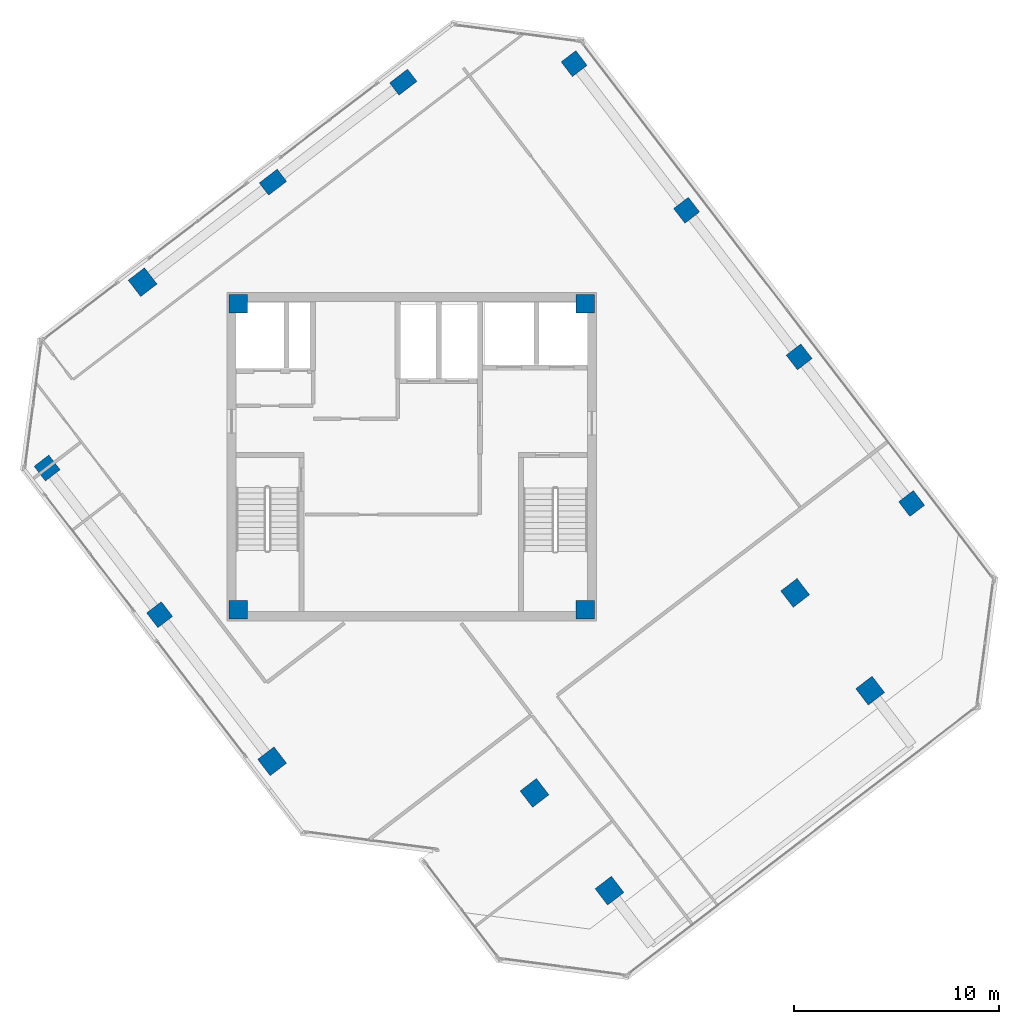
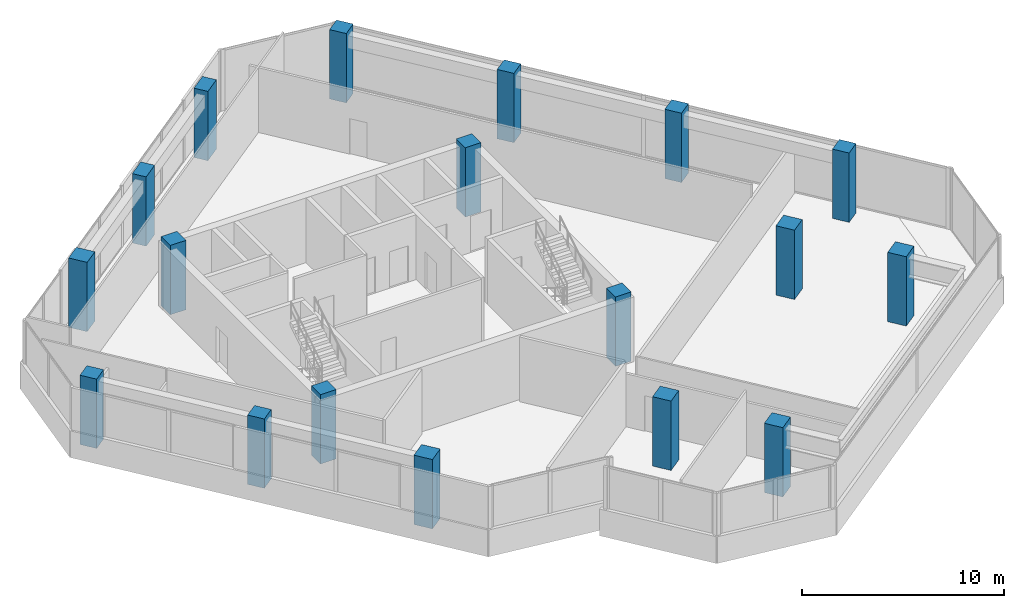
# One storey, part 1 of 17: 18 columns.
"""IFC4 building model written with IfcOpenShell, lengths in metres."""

from ifc_helpers import new_model, si_unit, direction, frame, origin, origin_2d, place, context, subcontext, project, spatial, rectangle, extrude, source, transform, mapped, material, material_profile, profile_set, type_object, element, save


model = new_model("IFC4")

# Units and contexts
model_context = context("Model", 3, precision=1e-05, world=origin(), true_north=direction((0.0, 1.0)))
body_context = subcontext(model_context, "Body", "Model", "MODEL_VIEW")
ifc_project = project(units=[si_unit("LENGTHUNIT", "METRE"), si_unit("AREAUNIT", "SQUARE_METRE"), si_unit("VOLUMEUNIT", "CUBIC_METRE"), si_unit("PLANEANGLEUNIT", "RADIAN"), si_unit("MASSUNIT", "GRAM", prefix="KILO")], contexts=[model_context])

# Site, building, storey
site_placement = place(None, origin())
site = spatial("IfcSite", under=ifc_project, at=site_placement, CompositionType="ELEMENT")
building_placement = place(site_placement, origin())
building = spatial("IfcBuilding", under=site, at=building_placement, Name="Torre Montelarca", CompositionType="ELEMENT")
storey_placement = place(building_placement, frame((0.0, 0.0, 283.60009765625)))
storey = spatial("IfcBuildingStorey", under=building, at=storey_placement, Name="L64", CompositionType="ELEMENT", Elevation=283.60009765625)

# Columns
ifc_material_1 = material(Name="Concrete C55/67", Category="concrete")
ifc_material_profile_1 = material_profile(ifc_material_1, rectangle(XDim=1.0, YDim=1.0, at=origin_2d()), Name="RC1000X1000", Category="concrete")
ifc_profile_set_1 = profile_set([ifc_material_profile_1], Name="Concrete C55/67")
column_type_1 = type_object("IfcColumnType", Name="COL-RC1000-EXT", PredefinedType="COLUMN", material=ifc_profile_set_1)
shared_shape_1 = source(origin(), body_context, "Body", "SweptSolid", [
    extrude(rectangle(XDim=1.0, YDim=1.0, at=origin_2d()), origin(), (0.0, 0.0, 1.0), 4.198486328125),
])
for number, where, z_axis, x_axis, name in (
    (1, (11.202392578125, 17.166015625, 0.000732421875), (0.0, 0.0, 1.0), (-0.608761429009, 0.793353340291, 0.0), "L64 Column 4/CS"),
    (2, (27.6328125, 10.8662109375, 0.000732421875), (0.0, 0.0, 1.0), (-0.608761429009, 0.793353340291, 0.0), "L64 Column 6/D"),
    (3, (40.326416015625, 20.606201171875, 0.000732421875), (0.0, 0.0, 1.0), (-0.608761429009, 0.793353340291, 0.0), "L64 Column 6/F"),
    (4, (4.8955078125, 40.497802734375, 0.000732421875), (0.0, 0.0, 1.0), (-0.608761429009, 0.793353340291, 0.0), "L64 Column 1W/D"),
):
    element("IfcColumn", number, at=place(storey_placement, frame(where, z_axis=z_axis, x_axis=x_axis)), inside=storey, type_object=column_type_1, Name=name, PredefinedType="COLUMN", context=body_context, shape_type="MappedRepresentation", body=[
        mapped(shared_shape_1, transform((0.0, 0.0, 0.0), scale=1.0)),
    ])
ifc_material_profile_2 = material_profile(ifc_material_1, rectangle(XDim=0.89990234375, YDim=0.89990234375, at=origin_2d()), Name="RC900X900", Category="concrete")
ifc_profile_set_2 = profile_set([ifc_material_profile_2], Name="Concrete C55/67")
column_type_2 = type_object("IfcColumnType", Name="COL-RC900", PredefinedType="COLUMN", material=ifc_profile_set_2)
shared_shape_2 = source(origin(), body_context, "Body", "SweptSolid", [
    extrude(rectangle(XDim=0.89990234375, YDim=0.89990234375, at=origin_2d()), origin(), (0.0, 0.0, 1.0), 4.198486328125),
])
for number, where, z_axis, x_axis, name in (
    (5, (9.550048828125, 24.550048828125, 0.000732421875), (0.0, 0.0, 1.0), (1.0, 0.0, 0.0), "L64 Plumb Core Corner Column 2D"),
    (6, (26.449951171875, 24.550048828125, 0.000732421875), (0.0, 0.0, 1.0), (1.0, 0.0, 0.0), "L64 Plumb Core Corner Column 4D"),
    (7, (9.550048828125, 39.449951171875, 0.000732421875), (0.0, 0.0, 1.0), (1.0, 0.0, 0.0), "L64 Plumb Core Corner Column 2F"),
    (8, (26.449951171875, 39.449951171875, 0.000732421875), (0.0, 0.0, 1.0), (1.0, 0.0, 0.0), "L64 Plumb Core Corner Column 4F"),
):
    element("IfcColumn", number, at=place(storey_placement, frame(where, z_axis=z_axis, x_axis=x_axis)), inside=storey, type_object=column_type_2, Name=name, PredefinedType="COLUMN", context=body_context, shape_type="MappedRepresentation", body=[
        mapped(shared_shape_2, transform((0.0, 0.0, 0.0), scale=1.0)),
    ])
ifc_material_2 = material(Name="Concrete C40/50", Category="concrete")
ifc_material_profile_3 = material_profile(ifc_material_2, rectangle(XDim=0.75, YDim=1.10009765625, at=origin_2d()), Name="RC1100X750", Category="concrete")
ifc_profile_set_3 = profile_set([ifc_material_profile_3], Name="Concrete C40/50")
column_type_3 = type_object("IfcColumnType", Name="COL-PIL1100-EXT", PredefinedType="PILASTER", material=ifc_profile_set_3)
shared_shape_3 = source(origin(), body_context, "Body", "SweptSolid", [
    extrude(rectangle(XDim=0.75, YDim=1.10009765625, at=origin_2d()), origin(), (0.0, 0.0, 1.0), 4.198486328125),
])
for number, where, z_axis, x_axis, name in (
    (9, (11.242431640625, 45.367919921875, 0.000732421875), (0.0, 0.0, 1.0), (-0.608761429009, 0.793353340291, 0.0), "L64 Column 1W/E"),
    (10, (17.589111328125, 50.238037109375, 0.000732421875), (0.0, 0.0, 1.0), (-0.608761429009, 0.793353340291, 0.0), "L64 Column 1W/F"),
):
    element("IfcColumn", number, at=place(storey_placement, frame(where, z_axis=z_axis, x_axis=x_axis)), inside=storey, type_object=column_type_3, Name=name, PredefinedType="PILASTER", context=body_context, shape_type="MappedRepresentation", body=[
        mapped(shared_shape_3, transform((0.0, 0.0, 0.0), scale=1.0)),
    ])
ifc_material_profile_4 = material_profile(ifc_material_1, rectangle(XDim=0.89990234375, YDim=0.89990234375, at=origin_2d()), Name="RC900X900", Category="concrete")
ifc_profile_set_4 = profile_set([ifc_material_profile_4], Name="Concrete C55/67")
column_type_4 = type_object("IfcColumnType", Name="COL-RC900-EXT", PredefinedType="COLUMN", material=ifc_profile_set_4)
shared_shape_4 = source(origin(), body_context, "Body", "SweptSolid", [
    extrude(rectangle(XDim=0.89990234375, YDim=0.89990234375, at=origin_2d()), origin(), (0.0, 0.0, 1.0), 4.198486328125),
])
for number, where, z_axis, x_axis, name in (
    (11, (0.244873046875, 31.4462890625, 0.000732421875), (0.0, 0.0, 1.0), (-0.608761429009, 0.793353340291, 0.0), "L64 Column 2/CS"),
    (12, (25.909912109375, 51.1396484375, 0.000732421875), (0.0, 0.0, 1.0), (-0.608761429009, 0.793353340291, 0.0), "L64 Column 2/GN"),
    (13, (5.7236328125, 24.305908203125, 0.000732421875), (0.0, 0.0, 1.0), (-0.608761429009, 0.793353340291, 0.0), "L64 Column 3/CS"),
    (14, (31.388671875, 43.99951171875, 0.000732421875), (0.0, 0.0, 1.0), (-0.608761429009, 0.793353340291, 0.0), "L64 Column 3/GN"),
    (15, (36.867431640625, 36.859375, 0.000732421875), (0.0, 0.0, 1.0), (-0.608761429009, 0.793353340291, 0.0), "L64 Column 4/GN"),
    (16, (42.34619140625, 29.718994140625, 0.000732421875), (0.0, 0.0, 1.0), (-0.608761429009, 0.793353340291, 0.0), "L64 Column 5/GN"),
):
    element("IfcColumn", number, at=place(storey_placement, frame(where, z_axis=z_axis, x_axis=x_axis)), inside=storey, type_object=column_type_4, Name=name, PredefinedType="COLUMN", context=body_context, shape_type="MappedRepresentation", body=[
        mapped(shared_shape_4, transform((0.0, 0.0, 0.0), scale=1.0)),
    ])
ifc_material_profile_5 = material_profile(ifc_material_1, rectangle(XDim=1.0, YDim=1.0, at=origin_2d()), Name="RC1000X1000", Category="concrete")
ifc_profile_set_5 = profile_set([ifc_material_profile_5], Name="Concrete C55/67")
column_type_5 = type_object("IfcColumnType", Name="COL-RC1000", PredefinedType="COLUMN", material=ifc_profile_set_5)
shared_shape_5 = source(origin(), body_context, "Body", "SweptSolid", [
    extrude(rectangle(XDim=1.0, YDim=1.0, at=origin_2d()), origin(), (0.0, 0.0, 1.0), 4.198486328125),
])
for number, where, z_axis, x_axis, name in (
    (17, (23.980224609375, 15.626220703125, 0.000732421875), (0.0, 0.0, 1.0), (-0.608761429009, 0.793353340291, 0.0), "L64 Column 5/D"),
    (18, (36.673828125, 25.366455078125, 0.000732421875), (0.0, 0.0, 1.0), (-0.608761429009, 0.793353340291, 0.0), "L64 Column 5/F"),
):
    element("IfcColumn", number, at=place(storey_placement, frame(where, z_axis=z_axis, x_axis=x_axis)), inside=storey, type_object=column_type_5, Name=name, PredefinedType="COLUMN", context=body_context, shape_type="MappedRepresentation", body=[
        mapped(shared_shape_5, transform((0.0, 0.0, 0.0), scale=1.0)),
    ])

save(model, "model.ifc")
